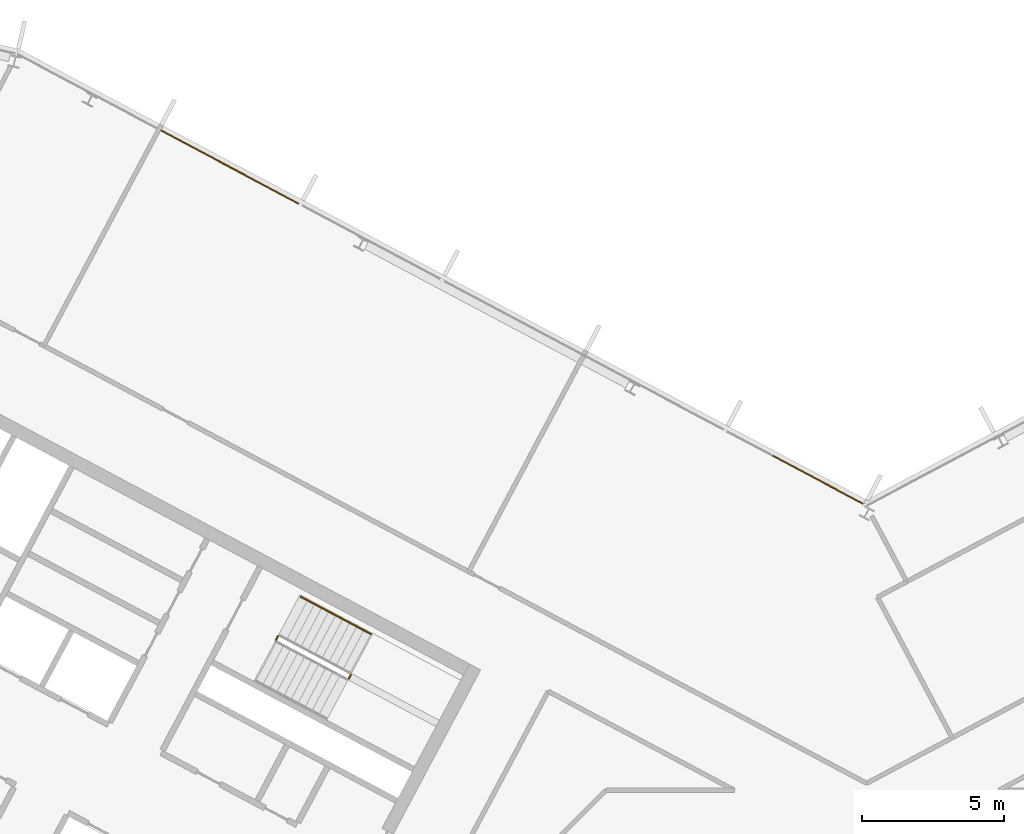
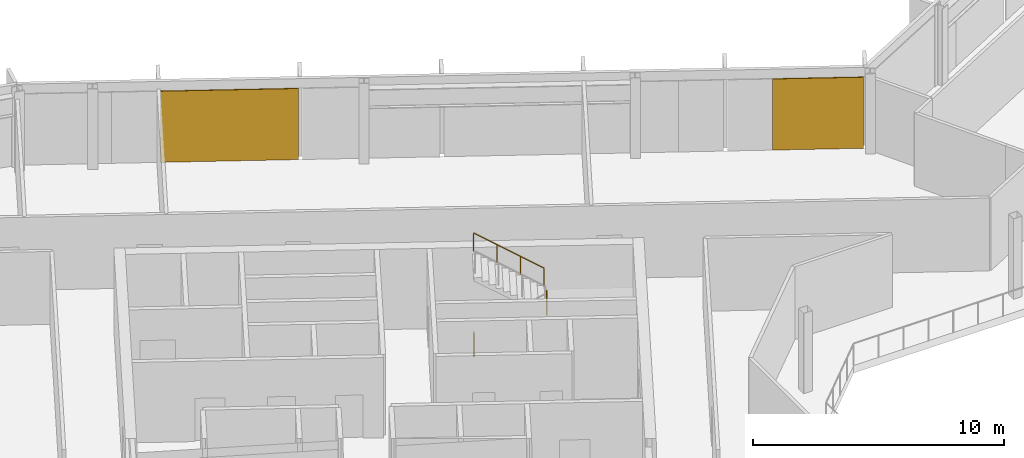
# One storey, part 23 of 26: 3 railings, 2 coverings, 1 element without a shape of its own.
"""IFC4 building model written with IfcOpenShell, lengths in metres."""

from ifc_helpers import new_model, si_unit, direction, frame, origin, origin_2d, place, context, subcontext, project, spatial, polyline, rectangle, outline, extrude, material, layer, layer_set, type_object, element, aggregate, save


model = new_model("IFC4")

# Units and contexts
model_context = context("Model", 3, precision=1e-05, world=origin(), true_north=direction((0.0, 1.0)))
body_context = subcontext(model_context, "Body", "Model", "MODEL_VIEW")
ifc_project = project(units=[si_unit("LENGTHUNIT", "METRE"), si_unit("AREAUNIT", "SQUARE_METRE"), si_unit("VOLUMEUNIT", "CUBIC_METRE"), si_unit("PLANEANGLEUNIT", "RADIAN"), si_unit("MASSUNIT", "GRAM", prefix="KILO")], contexts=[model_context])

# Site, building, storey
site_placement = place(None, origin())
site = spatial("IfcSite", under=ifc_project, at=site_placement, CompositionType="ELEMENT")
building_placement = place(site_placement, origin())
building = spatial("IfcBuilding", under=site, at=building_placement, Name="Cormorant Relay Tower", CompositionType="ELEMENT")
storey_placement = place(building_placement, frame((0.0, 0.0, 300.89990234375)))
storey = spatial("IfcBuildingStorey", under=building, at=storey_placement, Name="L68", CompositionType="ELEMENT", Elevation=300.89990234375)

# Curtain wall, coverings
ifc_material_1 = material(Name="Aluminium 6063-T6 anodised bronze", Category="aluminium")
ifc_layer_1 = layer(ifc_material_1, 0.199951171875)
ifc_layer_set_1 = layer_set([ifc_layer_1], Name="CW1 unitised bronze curtain wall with vertical fins")
curtain_wall_type = type_object("IfcCurtainWallType", Name="CW1 unitised bronze curtain wall with vertical fins", PredefinedType="NOTDEFINED", material=ifc_layer_set_1)
curtain_wall_placement = place(storey_placement, origin())
curtain_wall = element("IfcCurtainWall", 1, at=curtain_wall_placement, inside=storey, type_object=curtain_wall_type, Name="CW1 curtain wall 9", PredefinedType="NOTDEFINED")
ifc_material_2 = material(Name="Pale bronze anodised aluminium insulated panel", Category="aluminium")
ifc_layer_2 = layer(ifc_material_2, 0.0400390625)
ifc_layer_set_2 = layer_set([ifc_layer_2], Name="CW1 pale bronze insulated panel 40")
covering_type = type_object("IfcCoveringType", Name="CW1 pale bronze insulated panel 40", PredefinedType="CLADDING", material=ifc_layer_set_2)
covering_1_placement = place(storey_placement, frame((-1.718505859375, 24.720458984375, 0.0), z_axis=(0.0, 0.0, 1.0), x_axis=(-0.882947592859, 0.469471562786, 0.0)))
covering_1 = element("IfcCovering", 2, at=covering_1_placement, type_object=covering_type, Name="CW1 panel S00", PredefinedType="CLADDING", context=body_context, shape_type="SweptSolid", body=[
    extrude(rectangle(XDim=3.614013671875, YDim=0.0400390625, at=origin_2d()), origin(), (0.0, 0.0, 1.0), 3.449951171875),
])
covering_2_placement = place(storey_placement, frame((-22.39599609375, 35.714599609375, 0.0), z_axis=(0.0, 0.0, 1.0), x_axis=(-0.882947592859, 0.469471562786, 0.0)))
covering_2 = element("IfcCovering", 3, at=covering_2_placement, type_object=covering_type, Name="CW1 panel S05", PredefinedType="CLADDING", context=body_context, shape_type="SweptSolid", body=[
    extrude(rectangle(XDim=5.489013671875, YDim=0.0400390625, at=origin_2d()), origin(), (0.0, 0.0, 1.0), 3.449951171875),
])
aggregate(curtain_wall, [covering_1, covering_2])

# Railings
ifc_material_3 = material(Name="Steel ASTM A572 Grade 50 (Fy 345 MPa)", Category="steel")
railing_type_1 = type_object("IfcRailingType", Name="Stair guard 1100", PredefinedType="GUARDRAIL", material=ifc_material_3)
railing_1_placement = place(storey_placement, frame((-18.210693359375, 17.72412109375, 1.9501953125)))
element("IfcRailing", 4, at=railing_1_placement, inside=storey, type_object=railing_type_1, Name="L68 A1 stair guard 2", PredefinedType="GUARDRAIL", context=body_context, shape_type="SweptSolid", body=[
    extrude(outline(polyline([(0.022216796875, 0.00927734375), (0.00927734375, 0.022216796875), (-0.00927734375, 0.022216796875), (-0.022216796875, 0.00927734375), (-0.022216796875, -0.00927734375), (-0.00927734375, -0.022216796875), (0.00927734375, -0.022216796875), (0.022216796875, -0.00927734375), (0.022216796875, 0.00927734375)])), frame((0.0, 0.0, 1.076171875), z_axis=(0.470503732759, 0.882398003998, 0.0), x_axis=(-0.882398003998, 0.470503732759, 0.0)), (0.0, 0.0, 1.0), 0.14990234375),
    extrude(outline(polyline([(0.019287109375, 0.008056640625), (0.008056640625, 0.019287109375), (-0.008056640625, 0.019287109375), (-0.019287109375, 0.008056640625), (-0.019287109375, -0.008056640625), (-0.008056640625, -0.019287109375), (0.008056640625, -0.019287109375), (0.019287109375, -0.008056640625), (0.019287109375, 0.008056640625)])), origin(), (0.0, 0.0, 1.0), 1.052001953125),
    extrude(outline(polyline([(0.019287109375, 0.008056640625), (0.008056640625, 0.019287109375), (-0.008056640625, 0.019287109375), (-0.019287109375, 0.008056640625), (-0.019287109375, -0.008056640625), (-0.008056640625, -0.019287109375), (0.008056640625, -0.019287109375), (0.019287109375, -0.008056640625), (0.019287109375, 0.008056640625)])), frame((0.070556640625, 0.13232421875, 0.0)), (0.0, 0.0, 1.0), 1.052001953125),
])
railing_2_placement = place(storey_placement, frame((-20.771240234375, 19.08544921875, 0.0)))
element("IfcRailing", 5, at=railing_2_placement, inside=storey, type_object=railing_type_1, Name="L68 A1 stair guard 4", PredefinedType="GUARDRAIL", context=body_context, shape_type="SweptSolid", body=[
    extrude(outline(polyline([(0.022216796875, 0.00927734375), (0.00927734375, 0.022216796875), (-0.00927734375, 0.022216796875), (-0.022216796875, 0.00927734375), (-0.022216796875, -0.00927734375), (-0.00927734375, -0.022216796875), (0.00927734375, -0.022216796875), (0.022216796875, -0.00927734375), (0.022216796875, 0.00927734375)])), frame((0.0, 0.0, 1.076171875), z_axis=(0.469828648786, 0.882757634224, 0.0), x_axis=(-0.882757634224, 0.469828648786, 0.0)), (0.0, 0.0, 1.0), 0.150146484375),
    extrude(outline(polyline([(0.019287109375, 0.008056640625), (0.008056640625, 0.019287109375), (-0.008056640625, 0.019287109375), (-0.019287109375, 0.008056640625), (-0.019287109375, -0.008056640625), (-0.008056640625, -0.019287109375), (0.008056640625, -0.019287109375), (0.019287109375, -0.008056640625), (0.019287109375, 0.008056640625)])), origin(), (0.0, 0.0, 1.0), 1.052001953125),
    extrude(outline(polyline([(0.019287109375, 0.008056640625), (0.008056640625, 0.019287109375), (-0.008056640625, 0.019287109375), (-0.019287109375, 0.008056640625), (-0.019287109375, -0.008056640625), (-0.008056640625, -0.019287109375), (0.008056640625, -0.019287109375), (0.019287109375, -0.008056640625), (0.019287109375, 0.008056640625)])), frame((0.070556640625, 0.132568359375, 0.0)), (0.0, 0.0, 1.0), 1.052001953125),
])
ifc_material_4 = material(Name="Steel ASTM A572 Grade 50 (Fy 345 MPa)", Category="steel")
railing_type_2 = type_object("IfcRailingType", Name="Stair handrail 900", PredefinedType="HANDRAIL", material=ifc_material_4)
railing_3_placement = place(storey_placement, frame((-17.433349609375, 19.292724609375, 2.12744140625)))
element("IfcRailing", 6, at=railing_3_placement, inside=storey, type_object=railing_type_2, Name="L68 A1 stair handrail 2", PredefinedType="HANDRAIL", context=body_context, shape_type="SweptSolid", body=[
    extrude(outline(polyline([(0.022216796875, 0.00927734375), (0.00927734375, 0.022216796875), (-0.00927734375, 0.022216796875), (-0.022216796875, 0.00927734375), (-0.022216796875, -0.00927734375), (-0.00927734375, -0.022216796875), (0.00927734375, -0.022216796875), (0.022216796875, -0.00927734375), (0.022216796875, 0.00927734375)])), frame((0.0, 0.0, 0.8759765625), z_axis=(-0.746001213114, 0.396649272309, 0.534931345884), x_axis=(-0.469465464807, -0.882950835185, 0.0)), (0.0, 0.0, 1.0), 3.31396484375),
    extrude(outline(polyline([(0.019287109375, 0.008056640625), (0.008056640625, 0.019287109375), (-0.008056640625, 0.019287109375), (-0.019287109375, 0.008056640625), (-0.019287109375, -0.008056640625), (-0.008056640625, -0.019287109375), (0.008056640625, -0.019287109375), (0.019287109375, -0.008056640625), (0.019287109375, 0.008056640625)])), origin(), (0.0, 0.0, 1.0), 0.851806640625),
    extrude(outline(polyline([(0.019287109375, 0.008056640625), (0.008056640625, 0.019287109375), (-0.008056640625, 0.019287109375), (-0.019287109375, 0.008056640625), (-0.019287109375, -0.008056640625), (-0.008056640625, -0.019287109375), (0.008056640625, -0.019287109375), (0.019287109375, -0.008056640625), (0.019287109375, 0.008056640625)])), frame((-0.823974609375, 0.438232421875, 0.5908203125)), (0.0, 0.0, 1.0), 0.851806640625),
    extrude(outline(polyline([(0.019287109375, 0.008056640625), (0.008056640625, 0.019287109375), (-0.008056640625, 0.019287109375), (-0.019287109375, 0.008056640625), (-0.019287109375, -0.008056640625), (-0.008056640625, -0.019287109375), (0.008056640625, -0.019287109375), (0.019287109375, -0.008056640625), (0.019287109375, 0.008056640625)])), frame((-1.648193359375, 0.876220703125, 1.181884765625)), (0.0, 0.0, 1.0), 0.851806640625),
    extrude(outline(polyline([(0.019287109375, 0.008056640625), (0.008056640625, 0.019287109375), (-0.008056640625, 0.019287109375), (-0.019287109375, 0.008056640625), (-0.019287109375, -0.008056640625), (-0.008056640625, -0.019287109375), (0.008056640625, -0.019287109375), (0.019287109375, -0.008056640625), (0.019287109375, 0.008056640625)])), frame((-2.47216796875, 1.314453125, 1.772705078125)), (0.0, 0.0, 1.0), 0.851806640625),
])

save(model, "model.ifc")
